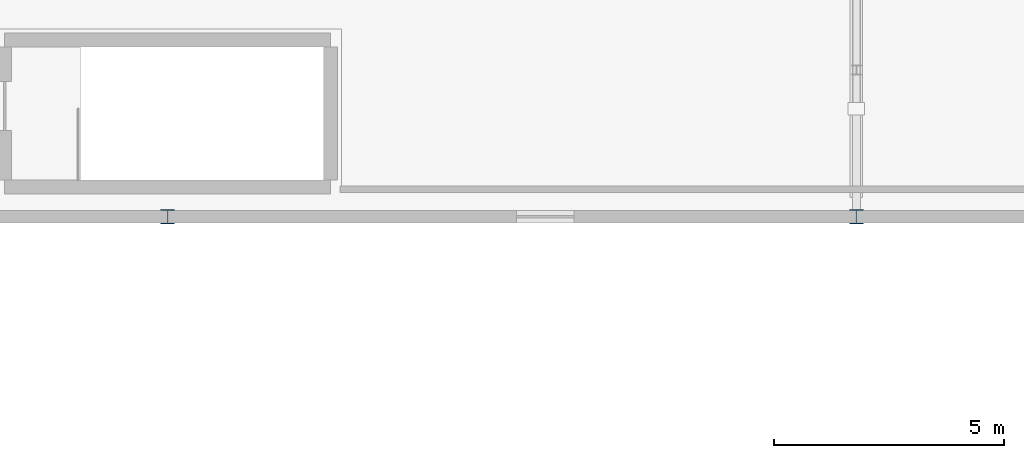
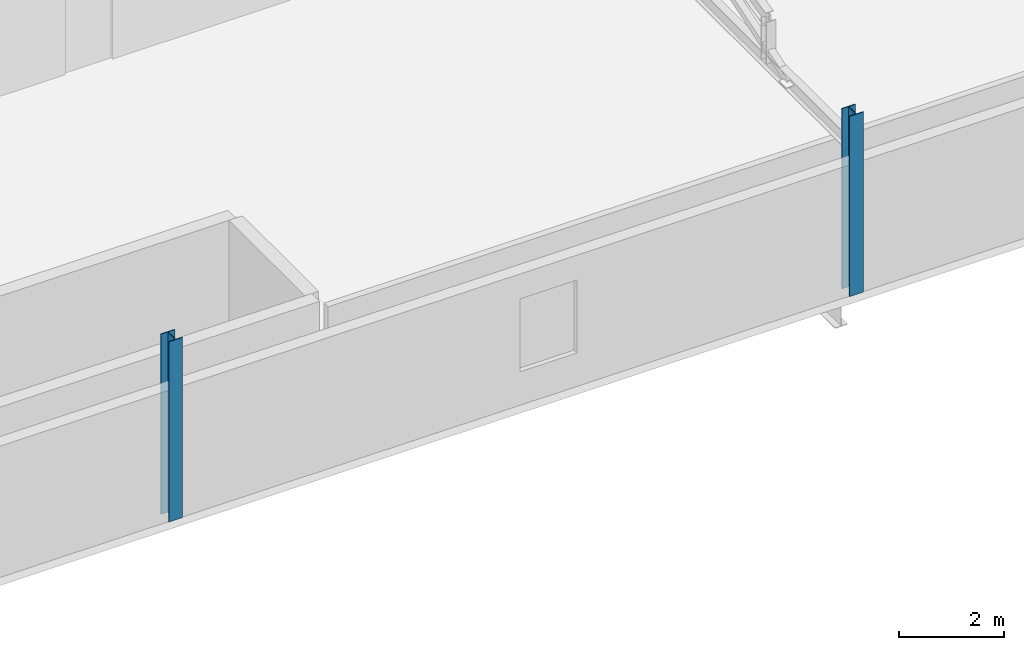
# One storey, part 2 of 90: 2 columns.
"""IFC4 building model written with IfcOpenShell, lengths in metres."""

from ifc_helpers import new_model, si_unit, direction, frame, origin, origin_2d, place, context, subcontext, project, spatial, i_section, extrude, material, material_profile, profile_set, type_object, element, save


model = new_model("IFC4")

# Units and contexts
model_context = context("Model", 3, precision=1e-05, world=origin(), true_north=direction((0.0, 1.0)))
body_context = subcontext(model_context, "Body", "Model", "MODEL_VIEW")
ifc_project = project(units=[si_unit("LENGTHUNIT", "METRE"), si_unit("AREAUNIT", "SQUARE_METRE"), si_unit("VOLUMEUNIT", "CUBIC_METRE"), si_unit("PLANEANGLEUNIT", "RADIAN"), si_unit("MASSUNIT", "GRAM", prefix="KILO")], contexts=[model_context])

# Site, building, storey
site_placement = place(None, origin())
site = spatial("IfcSite", under=ifc_project, at=site_placement, CompositionType="ELEMENT")
building_placement = place(site_placement, origin())
building = spatial("IfcBuilding", under=site, at=building_placement, Name="Solanera Park Tramway Depot", CompositionType="ELEMENT")
storey_placement = place(building_placement, frame((0.0, 0.0, 9.0)))
storey = spatial("IfcBuildingStorey", under=building, at=storey_placement, Name="L02", CompositionType="ELEMENT", Elevation=9.0)

# Columns
ifc_material = material(Name="Steel AS/NZS 3679.1 Grade 350", Category="steel")
ifc_material_profile = material_profile(ifc_material, i_section(OverallWidth=0.306884765625, OverallDepth=0.314697265625, WebThickness=0.011962890625, FlangeThickness=0.018798828125, at=origin_2d()), Name="310UC118")
ifc_profile_set = profile_set([ifc_material_profile], Name="Steel AS/NZS 3679.1 Grade 350")
column_type = type_object("IfcColumnType", Name="Steel Column Ext 310UC118", PredefinedType="COLUMN", material=ifc_profile_set)
for number, where, z_axis, x_axis, name in (
    (1, (45.0, 10.800048828125, 0.0), (0.0, 0.0, 1.0), (1.0, 0.0, 0.0), "L02 Column V2-X450-Y108"),
    (2, (60.0, 10.800048828125, 0.0), (0.0, 0.0, 1.0), (1.0, 0.0, 0.0), "L02 Column V2-X600-Y108"),
):
    element("IfcColumn", number, at=place(storey_placement, frame(where, z_axis=z_axis, x_axis=x_axis)), inside=storey, type_object=column_type, Name=name, PredefinedType="COLUMN", context=body_context, shape_type="SweptSolid", body=[
        extrude(i_section(OverallWidth=0.306884765625, OverallDepth=0.314697265625, WebThickness=0.011962890625, FlangeThickness=0.018798828125, at=origin_2d()), origin(), (0.0, 0.0, 1.0), 4.199951171875),
    ])

save(model, "model.ifc")
